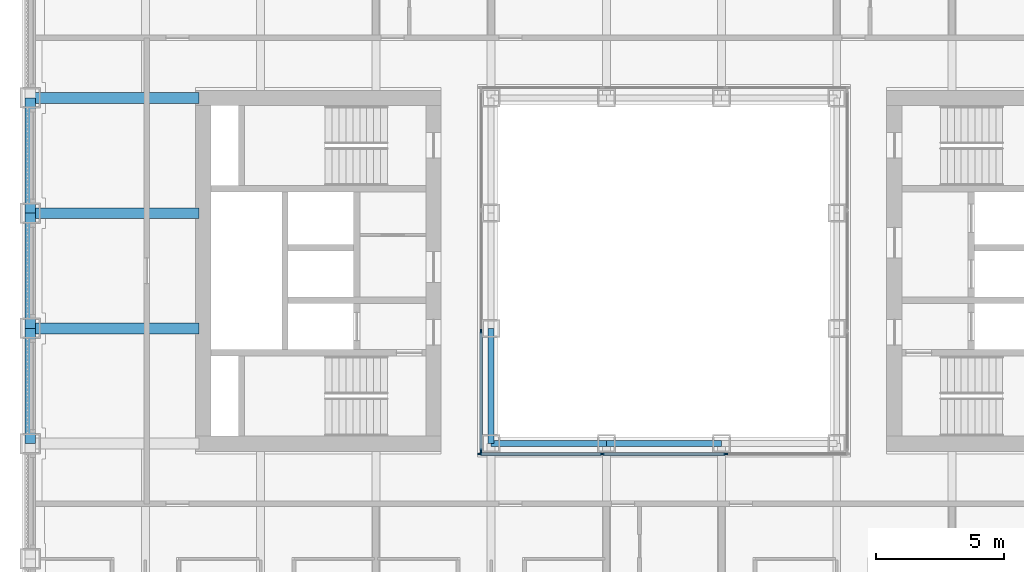
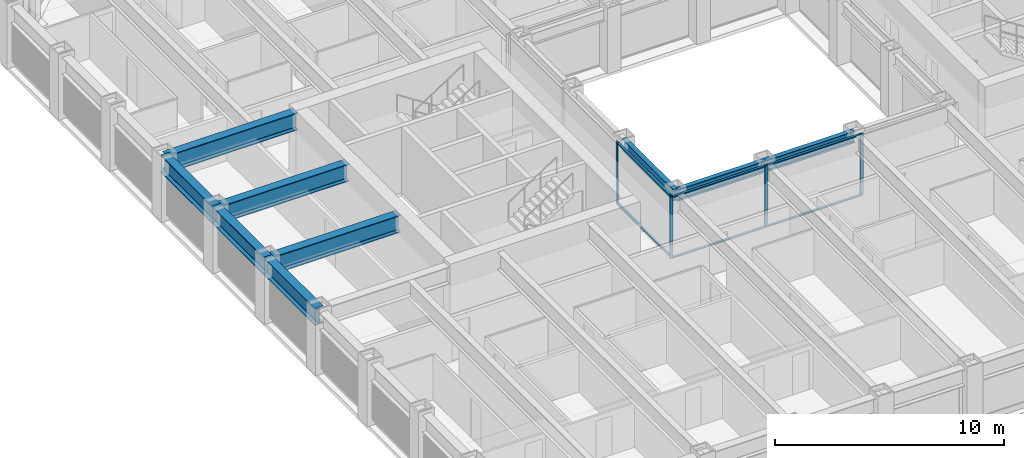
# One storey, part 3 of 20: 11 members, 9 beams, 2 elements without a shape of their own.
"""IFC4 building model written with IfcOpenShell, lengths in metres."""

from ifc_helpers import new_model, si_unit, direction, frame, origin, origin_2d, place, context, subcontext, project, spatial, rectangle, i_section, extrude, material, material_profile, profile_set, type_object, element, aggregate, save


model = new_model("IFC4")

# Units and contexts
model_context = context("Model", 3, precision=1e-05, world=origin(), true_north=direction((0.0, 1.0)))
body_context = subcontext(model_context, "Body", "Model", "MODEL_VIEW")
ifc_project = project(units=[si_unit("LENGTHUNIT", "METRE"), si_unit("AREAUNIT", "SQUARE_METRE"), si_unit("VOLUMEUNIT", "CUBIC_METRE"), si_unit("PLANEANGLEUNIT", "RADIAN"), si_unit("MASSUNIT", "GRAM", prefix="KILO")], contexts=[model_context])

# Site, building, storey
site_placement = place(None, origin())
site = spatial("IfcSite", under=ifc_project, at=site_placement, CompositionType="ELEMENT")
building_placement = place(site_placement, origin())
building = spatial("IfcBuilding", under=site, at=building_placement, Name="Msasa Ring Tower", CompositionType="ELEMENT")
storey_placement = place(building_placement, frame((0.0, 0.0, 65.0)))
storey = spatial("IfcBuildingStorey", under=building, at=storey_placement, Name="L16", CompositionType="ELEMENT", Elevation=65.0)

# Curtain wall, members
ifc_material_1 = material(Name="Aluminium curtain wall with clear glass", Category="aluminium")
curtain_wall_type = type_object("IfcCurtainWallType", Name="CW-W LIGHT WELL CURTAIN WALL", PredefinedType="NOTDEFINED", material=ifc_material_1)
curtain_wall_1_placement = place(storey_placement, origin())
curtain_wall_1 = element("IfcCurtainWall", 1, at=curtain_wall_1_placement, inside=storey, type_object=curtain_wall_type, Name="Light well curtain wall S L16", PredefinedType="NOTDEFINED")
ifc_material_2 = material(Name="Aluminium mullion", Category="aluminium")
ifc_material_profile_1 = material_profile(ifc_material_2, rectangle(XDim=0.06005859375, YDim=0.159912109375, at=origin_2d()), Name="AL 60x160")
ifc_profile_set_1 = profile_set([ifc_material_profile_1], Name="Aluminium mullion")
member_type_1 = type_object("IfcMemberType", Name="CW-W MULLION 60x160", PredefinedType="MULLION", material=ifc_profile_set_1)
member_1_placement = place(storey_placement, frame((-7.199951171875, -7.14990234375, 0.0), z_axis=(0.0, 0.0, 1.0), x_axis=(0.0, 1.0, 0.0)))
member_1 = element("IfcMember", 2, at=member_1_placement, type_object=member_type_1, Name="CW-W mullion 1", PredefinedType="MULLION", context=body_context, shape_type="SweptSolid", body=[
    extrude(rectangle(XDim=0.06005859375, YDim=0.159912109375, at=origin_2d()), origin(), (0.0, 0.0, 1.0), 3.300048828125),
])
member_2_placement = place(storey_placement, frame((-2.409912109375, -7.14990234375, 0.0), z_axis=(0.0, 0.0, 1.0), x_axis=(0.0, 1.0, 0.0)))
member_2 = element("IfcMember", 3, at=member_2_placement, type_object=member_type_1, Name="CW-W mullion 2", PredefinedType="MULLION", context=body_context, shape_type="SweptSolid", body=[
    extrude(rectangle(XDim=0.06005859375, YDim=0.159912109375, at=origin_2d()), origin(), (0.0, 0.0, 1.0), 3.300048828125),
])
member_3_placement = place(storey_placement, frame((2.409912109375, -7.14990234375, 0.0), z_axis=(0.0, 0.0, 1.0), x_axis=(0.0, 1.0, 0.0)))
member_3 = element("IfcMember", 4, at=member_3_placement, type_object=member_type_1, Name="CW-W mullion 3", PredefinedType="MULLION", context=body_context, shape_type="SweptSolid", body=[
    extrude(rectangle(XDim=0.06005859375, YDim=0.159912109375, at=origin_2d()), origin(), (0.0, 0.0, 1.0), 3.300048828125),
])

curtain_wall_2_placement = place(storey_placement, origin())
curtain_wall_2 = element("IfcCurtainWall", 5, at=curtain_wall_2_placement, inside=storey, type_object=curtain_wall_type, Name="Light well curtain wall W L16", PredefinedType="NOTDEFINED")
member_4_placement = place(storey_placement, frame((-7.14990234375, -7.0400390625, 0.0), z_axis=(0.0, 0.0, 1.0), x_axis=(-1.0, 0.0, 0.0)))
member_4 = element("IfcMember", 6, at=member_4_placement, type_object=member_type_1, Name="CW-W mullion 1", PredefinedType="MULLION", context=body_context, shape_type="SweptSolid", body=[
    extrude(rectangle(XDim=0.06005859375, YDim=0.159912109375, at=origin_2d()), origin(), (0.0, 0.0, 1.0), 3.300048828125),
])
member_5_placement = place(storey_placement, frame((-7.14990234375, -2.356689453125, 0.0), z_axis=(0.0, 0.0, 1.0), x_axis=(-1.0, 0.0, 0.0)))
member_5 = element("IfcMember", 7, at=member_5_placement, type_object=member_type_1, Name="CW-W mullion 2", PredefinedType="MULLION", context=body_context, shape_type="SweptSolid", body=[
    extrude(rectangle(XDim=0.06005859375, YDim=0.159912109375, at=origin_2d()), origin(), (0.0, 0.0, 1.0), 3.300048828125),
])

# Member
ifc_material_3 = material(Name="Aluminium transom", Category="aluminium")
ifc_material_profile_2 = material_profile(ifc_material_3, rectangle(XDim=0.1201171875, YDim=0.06005859375, at=origin_2d()), Name="AL 60x120")
ifc_profile_set_2 = profile_set([ifc_material_profile_2], Name="Aluminium transom")
member_type_2 = type_object("IfcMemberType", Name="CW-W TRANSOM 60x120", PredefinedType="USERDEFINED", material=ifc_profile_set_2)
member_6_placement = place(storey_placement, frame((-7.169921875, -7.14990234375, 0.030029296875), z_axis=(1.0, 0.0, 0.0), x_axis=(0.0, 1.0, 0.0)))
member_6 = element("IfcMember", 8, at=member_6_placement, type_object=member_type_2, Name="CW-W transom 1.1", ObjectType="TRANSOM", PredefinedType="USERDEFINED", context=body_context, shape_type="SweptSolid", body=[
    extrude(rectangle(XDim=0.1201171875, YDim=0.06005859375, at=origin_2d()), origin(), (0.0, 0.0, 1.0), 4.72998046875),
])

member_7_placement = place(storey_placement, frame((-7.169921875, -7.14990234375, 3.27001953125), z_axis=(1.0, 0.0, 0.0), x_axis=(0.0, 1.0, 0.0)))
member_7 = element("IfcMember", 9, at=member_7_placement, type_object=member_type_2, Name="CW-W transom 1.2", ObjectType="TRANSOM", PredefinedType="USERDEFINED", context=body_context, shape_type="SweptSolid", body=[
    extrude(rectangle(XDim=0.1201171875, YDim=0.06005859375, at=origin_2d()), origin(), (0.0, 0.0, 1.0), 4.72998046875),
])

member_8_placement = place(storey_placement, frame((-2.3798828125, -7.14990234375, 0.030029296875), z_axis=(1.0, 0.0, 0.0), x_axis=(0.0, 1.0, 0.0)))
member_8 = element("IfcMember", 10, at=member_8_placement, type_object=member_type_2, Name="CW-W transom 2.1", ObjectType="TRANSOM", PredefinedType="USERDEFINED", context=body_context, shape_type="SweptSolid", body=[
    extrude(rectangle(XDim=0.1201171875, YDim=0.06005859375, at=origin_2d()), origin(), (0.0, 0.0, 1.0), 4.759765625),
])

member_9_placement = place(storey_placement, frame((-2.3798828125, -7.14990234375, 3.27001953125), z_axis=(1.0, 0.0, 0.0), x_axis=(0.0, 1.0, 0.0)))
member_9 = element("IfcMember", 11, at=member_9_placement, type_object=member_type_2, Name="CW-W transom 2.2", ObjectType="TRANSOM", PredefinedType="USERDEFINED", context=body_context, shape_type="SweptSolid", body=[
    extrude(rectangle(XDim=0.1201171875, YDim=0.06005859375, at=origin_2d()), origin(), (0.0, 0.0, 1.0), 4.759765625),
])

aggregate(curtain_wall_1, [member_1, member_2, member_3, member_6, member_7, member_8, member_9])

member_10_placement = place(storey_placement, frame((-7.14990234375, -7.010009765625, 0.030029296875), z_axis=(0.0, 1.0, 0.0), x_axis=(-1.0, 0.0, 0.0)))
member_10 = element("IfcMember", 12, at=member_10_placement, type_object=member_type_2, Name="CW-W transom 1.1", ObjectType="TRANSOM", PredefinedType="USERDEFINED", context=body_context, shape_type="SweptSolid", body=[
    extrude(rectangle(XDim=0.1201171875, YDim=0.06005859375, at=origin_2d()), origin(), (0.0, 0.0, 1.0), 4.623291015625),
])

member_11_placement = place(storey_placement, frame((-7.14990234375, -7.010009765625, 3.27001953125), z_axis=(0.0, 1.0, 0.0), x_axis=(-1.0, 0.0, 0.0)))
member_11 = element("IfcMember", 13, at=member_11_placement, type_object=member_type_2, Name="CW-W transom 1.2", ObjectType="TRANSOM", PredefinedType="USERDEFINED", context=body_context, shape_type="SweptSolid", body=[
    extrude(rectangle(XDim=0.1201171875, YDim=0.06005859375, at=origin_2d()), origin(), (0.0, 0.0, 1.0), 4.623291015625),
])

aggregate(curtain_wall_2, [member_4, member_5, member_10, member_11])

# Beams
ifc_material_4 = material(Name="Steel S355", Category="steel")
ifc_material_profile_3 = material_profile(ifc_material_4, i_section(OverallWidth=0.42041015625, OverallDepth=0.9208984375, WebThickness=0.021484375, FlangeThickness=0.03662109375, FilletRadius=0.024169921875, at=origin_2d()), Name="UB 914x419x388")
ifc_profile_set_3 = profile_set([ifc_material_profile_3], Name="Steel S355")
beam_type_1 = type_object("IfcBeamType", Name="FB2 UB 914x419x388", PredefinedType="BEAM", material=ifc_profile_set_3)
for number, where, z_axis, x_axis, name in (
    (14, (-24.75, -2.25, 2.839599609375), (1.0, 0.0, 0.0), (0.0, 1.0, 0.0), "Floor beam W -2.25 under L17"),
    (15, (-24.75, 2.25, 2.839599609375), (1.0, 0.0, 0.0), (0.0, 1.0, 0.0), "Floor beam W +2.25 under L17"),
):
    element("IfcBeam", number, at=place(storey_placement, frame(where, z_axis=z_axis, x_axis=x_axis)), inside=storey, type_object=beam_type_1, Name=name, PredefinedType="BEAM", context=body_context, shape_type="SweptSolid", body=[
        extrude(i_section(OverallWidth=0.42041015625, OverallDepth=0.9208984375, WebThickness=0.021484375, FlangeThickness=0.03662109375, FilletRadius=0.024169921875, at=origin_2d()), origin(), (0.0, 0.0, 1.0), 6.60009765625),
    ])
ifc_material_5 = material(Name="Steel S355", Category="steel")
ifc_material_profile_4 = material_profile(ifc_material_5, i_section(OverallWidth=0.42041015625, OverallDepth=0.9208984375, WebThickness=0.021484375, FlangeThickness=0.03662109375, FilletRadius=0.024169921875, at=origin_2d()), Name="UB 914x419x388")
ifc_profile_set_4 = profile_set([ifc_material_profile_4], Name="Steel S355")
beam_type_2 = type_object("IfcBeamType", Name="GB1 UB 914x419x388", PredefinedType="BEAM", material=ifc_profile_set_4)
beam_placement = place(storey_placement, frame((-18.14990234375, 6.75, 2.839599609375), z_axis=(-1.0, 0.0, 0.0), x_axis=(0.0, -1.0, 0.0)))
element("IfcBeam", 16, at=beam_placement, inside=storey, type_object=beam_type_2, Name="Girder W +6.75 under L17", PredefinedType="BEAM", context=body_context, shape_type="SweptSolid", body=[
    extrude(i_section(OverallWidth=0.42041015625, OverallDepth=0.9208984375, WebThickness=0.021484375, FlangeThickness=0.03662109375, FilletRadius=0.024169921875, at=origin_2d()), origin(), (0.0, 0.0, 1.0), 6.60009765625),
])
ifc_material_6 = material(Name="Steel S355", Category="steel")
ifc_material_profile_5 = material_profile(ifc_material_6, i_section(OverallWidth=0.230224609375, OverallDepth=0.6171875, WebThickness=0.01318359375, FlangeThickness=0.022216796875, FilletRadius=0.0126953125, at=origin_2d()), Name="UB 610x229x140")
ifc_profile_set_5 = profile_set([ifc_material_profile_5], Name="Steel S355")
beam_type_3 = type_object("IfcBeamType", Name="RB1 UB 610x229x140", PredefinedType="BEAM", material=ifc_profile_set_5)
for number, where, z_axis, x_axis, name in (
    (17, (-6.75, -2.25, 2.991455078125), (0.0, -1.0, 0.0), (1.0, 0.0, 0.0), "Inner ring beam IR-6.75-2.25 under L17"),
    (18, (-6.75, -6.75, 2.991455078125), (1.0, 0.0, 0.0), (0.0, 1.0, 0.0), "Inner ring beam IR-6.75-6.75 under L17"),
    (19, (-2.25, -6.75, 2.991455078125), (1.0, 0.0, 0.0), (0.0, 1.0, 0.0), "Inner ring beam IR-2.25-6.75 under L17"),
):
    element("IfcBeam", number, at=place(storey_placement, frame(where, z_axis=z_axis, x_axis=x_axis)), inside=storey, type_object=beam_type_3, Name=name, PredefinedType="BEAM", context=body_context, shape_type="SweptSolid", body=[
        extrude(i_section(OverallWidth=0.230224609375, OverallDepth=0.6171875, WebThickness=0.01318359375, FlangeThickness=0.022216796875, FilletRadius=0.0126953125, at=origin_2d()), origin(), (0.0, 0.0, 1.0), 4.5),
    ])
ifc_material_7 = material(Name="Steel S355", Category="steel")
ifc_material_profile_6 = material_profile(ifc_material_7, i_section(OverallWidth=0.42041015625, OverallDepth=0.9208984375, WebThickness=0.021484375, FlangeThickness=0.03662109375, FilletRadius=0.024169921875, at=origin_2d()), Name="UB 914x419x388")
ifc_profile_set_6 = profile_set([ifc_material_profile_6], Name="Steel S355")
beam_type_4 = type_object("IfcBeamType", Name="SB1 UB 914x419x388", PredefinedType="SPANDREL", material=ifc_profile_set_6)
for number, where, z_axis, x_axis, name in (
    (20, (-24.75, -2.25, 2.839599609375), (0.0, -1.0, 0.0), (1.0, 0.0, 0.0), "Spandrel W-2.25 to W-6.75 under L17"),
    (21, (-24.75, 6.75, 2.839599609375), (0.0, -1.0, 0.0), (1.0, 0.0, 0.0), "Spandrel W+6.75 to W+2.25 under L17"),
    (22, (-24.75, 2.25, 2.839599609375), (0.0, -1.0, 0.0), (1.0, 0.0, 0.0), "Spandrel W+2.25 to W-2.25 under L17"),
):
    element("IfcBeam", number, at=place(storey_placement, frame(where, z_axis=z_axis, x_axis=x_axis)), inside=storey, type_object=beam_type_4, Name=name, PredefinedType="SPANDREL", context=body_context, shape_type="SweptSolid", body=[
        extrude(i_section(OverallWidth=0.42041015625, OverallDepth=0.9208984375, WebThickness=0.021484375, FlangeThickness=0.03662109375, FilletRadius=0.024169921875, at=origin_2d()), origin(), (0.0, 0.0, 1.0), 4.5),
    ])

save(model, "model.ifc")
